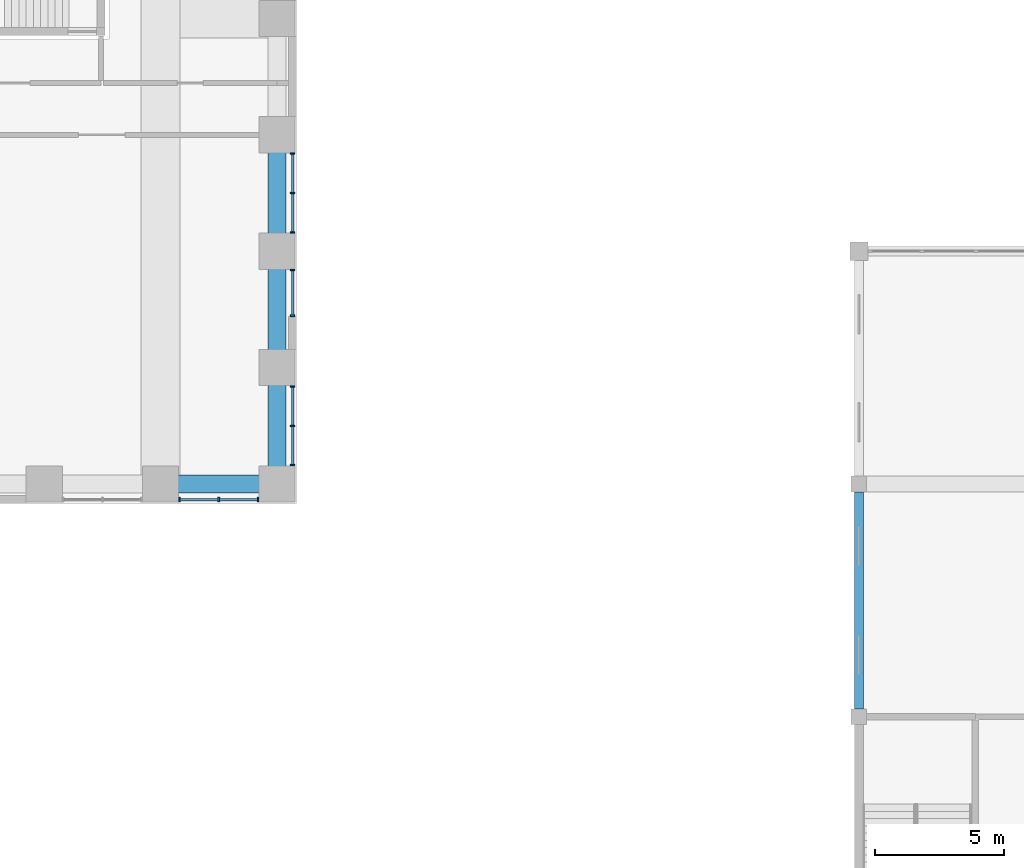
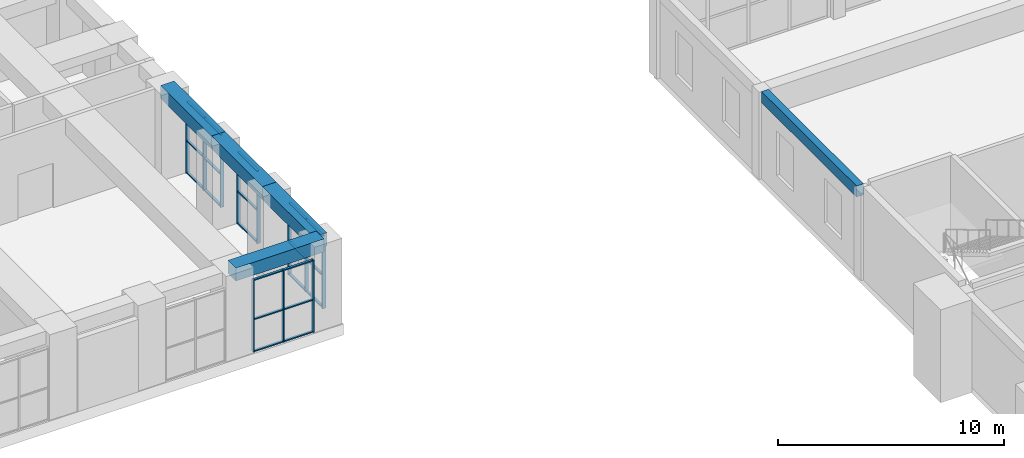
# One storey, part 8 of 30: 32 members, 5 beams, 4 elements without a shape of their own.
"""IFC4 building model written with IfcOpenShell, lengths in metres."""

from ifc_helpers import new_model, si_unit, direction, frame, origin, origin_2d, place, context, subcontext, project, spatial, rectangle, extrude, material, material_profile, profile_set, type_object, element, aggregate, save


model = new_model("IFC4")

# Units and contexts
model_context = context("Model", 3, precision=1e-05, world=origin(), true_north=direction((0.0, 1.0)))
body_context = subcontext(model_context, "Body", "Model", "MODEL_VIEW")
ifc_project = project(units=[si_unit("LENGTHUNIT", "METRE"), si_unit("AREAUNIT", "SQUARE_METRE"), si_unit("VOLUMEUNIT", "CUBIC_METRE"), si_unit("PLANEANGLEUNIT", "RADIAN"), si_unit("MASSUNIT", "GRAM", prefix="KILO")], contexts=[model_context])

# Site, building, storey
site_placement = place(None, origin())
site = spatial("IfcSite", under=ifc_project, at=site_placement, CompositionType="ELEMENT")
building_placement = place(site_placement, origin())
building = spatial("IfcBuilding", under=site, at=building_placement, Name="Firuza Court", CompositionType="ELEMENT")
storey_placement = place(building_placement, frame((0.0, 0.0, 9.0)))
storey = spatial("IfcBuildingStorey", under=building, at=storey_placement, Name="L01", CompositionType="ELEMENT", Elevation=9.0)

# Curtain wall, members
ifc_material_1 = material(Name="Aluminium curtain wall, triple clear glazing", Category="aluminium")
curtain_wall_type = type_object("IfcCurtainWallType", Name="Podium unitised curtain wall CW1", PredefinedType="NOTDEFINED", material=ifc_material_1)
curtain_wall_1_placement = place(storey_placement, origin())
curtain_wall_1 = element("IfcCurtainWall", 1, at=curtain_wall_1_placement, inside=storey, type_object=curtain_wall_type, Name="Podium unitised curtain wall CW1 L01", PredefinedType="NOTDEFINED")
ifc_material_2 = material(Name="Aluminium EN AW-6060 T66", Category="aluminium")
ifc_material_profile_1 = material_profile(ifc_material_2, rectangle(XDim=0.179931640625, YDim=0.06005859375, at=origin_2d()), Name="Mullion 180 x 60 CW1")
ifc_profile_set_1 = profile_set([ifc_material_profile_1], Name="Aluminium EN AW-6060 T66")
member_type_1 = type_object("IfcMemberType", Name="Mullion 180 x 60 CW1", PredefinedType="MULLION", material=ifc_profile_set_1)
member_1_placement = place(storey_placement, frame((63.72998046875, 35.39990234375, 0.0), z_axis=(0.0, 0.0, 1.0), x_axis=(0.0, 1.0, 0.0)))
member_1 = element("IfcMember", 2, at=member_1_placement, type_object=member_type_1, Name="CW1 mullion 1", PredefinedType="MULLION", context=body_context, shape_type="SweptSolid", body=[
    extrude(rectangle(XDim=0.179931640625, YDim=0.06005859375, at=origin_2d()), origin(), (0.0, 0.0, 1.0), 3.89990234375),
])
member_2_placement = place(storey_placement, frame((65.25, 35.39990234375, 0.0), z_axis=(0.0, 0.0, 1.0), x_axis=(0.0, 1.0, 0.0)))
member_2 = element("IfcMember", 3, at=member_2_placement, type_object=member_type_1, Name="CW1 mullion 2", PredefinedType="MULLION", context=body_context, shape_type="SweptSolid", body=[
    extrude(rectangle(XDim=0.179931640625, YDim=0.06005859375, at=origin_2d()), origin(), (0.0, 0.0, 1.0), 3.89990234375),
])
member_3_placement = place(storey_placement, frame((66.77001953125, 35.39990234375, 0.0), z_axis=(0.0, 0.0, 1.0), x_axis=(0.0, 1.0, 0.0)))
member_3 = element("IfcMember", 4, at=member_3_placement, type_object=member_type_1, Name="CW1 mullion 3", PredefinedType="MULLION", context=body_context, shape_type="SweptSolid", body=[
    extrude(rectangle(XDim=0.179931640625, YDim=0.06005859375, at=origin_2d()), origin(), (0.0, 0.0, 1.0), 3.89990234375),
])

curtain_wall_2_placement = place(storey_placement, origin())
curtain_wall_2 = element("IfcCurtainWall", 5, at=curtain_wall_2_placement, inside=storey, type_object=curtain_wall_type, Name="Podium unitised curtain wall CW1 L01", PredefinedType="NOTDEFINED")
member_4_placement = place(storey_placement, frame((68.10009765625, 36.72998046875, 0.0), z_axis=(0.0, 0.0, 1.0), x_axis=(-1.0, 0.0, 0.0)))
member_4 = element("IfcMember", 6, at=member_4_placement, type_object=member_type_1, Name="CW1 mullion 1", PredefinedType="MULLION", context=body_context, shape_type="SweptSolid", body=[
    extrude(rectangle(XDim=0.179931640625, YDim=0.06005859375, at=origin_2d()), origin(), (0.0, 0.0, 1.0), 3.89990234375),
])
member_5_placement = place(storey_placement, frame((68.10009765625, 38.25, 0.0), z_axis=(0.0, 0.0, 1.0), x_axis=(-1.0, 0.0, 0.0)))
member_5 = element("IfcMember", 7, at=member_5_placement, type_object=member_type_1, Name="CW1 mullion 2", PredefinedType="MULLION", context=body_context, shape_type="SweptSolid", body=[
    extrude(rectangle(XDim=0.179931640625, YDim=0.06005859375, at=origin_2d()), origin(), (0.0, 0.0, 1.0), 3.89990234375),
])
member_6_placement = place(storey_placement, frame((68.10009765625, 39.77001953125, 0.0), z_axis=(0.0, 0.0, 1.0), x_axis=(-1.0, 0.0, 0.0)))
member_6 = element("IfcMember", 8, at=member_6_placement, type_object=member_type_1, Name="CW1 mullion 3", PredefinedType="MULLION", context=body_context, shape_type="SweptSolid", body=[
    extrude(rectangle(XDim=0.179931640625, YDim=0.06005859375, at=origin_2d()), origin(), (0.0, 0.0, 1.0), 3.89990234375),
])

curtain_wall_3_placement = place(storey_placement, origin())
curtain_wall_3 = element("IfcCurtainWall", 9, at=curtain_wall_3_placement, inside=storey, type_object=curtain_wall_type, Name="Podium unitised curtain wall CW1 L01", PredefinedType="NOTDEFINED")
member_7_placement = place(storey_placement, frame((68.10009765625, 42.505126953125, 0.0), z_axis=(0.0, 0.0, 1.0), x_axis=(-1.0, 0.0, 0.0)))
member_7 = element("IfcMember", 10, at=member_7_placement, type_object=member_type_1, Name="CW1 mullion 1", PredefinedType="MULLION", context=body_context, shape_type="SweptSolid", body=[
    extrude(rectangle(XDim=0.179931640625, YDim=0.06005859375, at=origin_2d()), origin(), (0.0, 0.0, 1.0), 3.89990234375),
])
member_8_placement = place(storey_placement, frame((68.10009765625, 44.27001953125, 0.0), z_axis=(0.0, 0.0, 1.0), x_axis=(-1.0, 0.0, 0.0)))
member_8 = element("IfcMember", 11, at=member_8_placement, type_object=member_type_1, Name="CW1 mullion 2", PredefinedType="MULLION", context=body_context, shape_type="SweptSolid", body=[
    extrude(rectangle(XDim=0.179931640625, YDim=0.06005859375, at=origin_2d()), origin(), (0.0, 0.0, 1.0), 3.89990234375),
])

curtain_wall_4_placement = place(storey_placement, origin())
curtain_wall_4 = element("IfcCurtainWall", 12, at=curtain_wall_4_placement, inside=storey, type_object=curtain_wall_type, Name="Podium unitised curtain wall CW1 L01", PredefinedType="NOTDEFINED")
member_9_placement = place(storey_placement, frame((68.10009765625, 45.72998046875, 0.0), z_axis=(0.0, 0.0, 1.0), x_axis=(-1.0, 0.0, 0.0)))
member_9 = element("IfcMember", 13, at=member_9_placement, type_object=member_type_1, Name="CW1 mullion 1", PredefinedType="MULLION", context=body_context, shape_type="SweptSolid", body=[
    extrude(rectangle(XDim=0.179931640625, YDim=0.06005859375, at=origin_2d()), origin(), (0.0, 0.0, 1.0), 3.89990234375),
])
member_10_placement = place(storey_placement, frame((68.10009765625, 47.25, 0.0), z_axis=(0.0, 0.0, 1.0), x_axis=(-1.0, 0.0, 0.0)))
member_10 = element("IfcMember", 14, at=member_10_placement, type_object=member_type_1, Name="CW1 mullion 2", PredefinedType="MULLION", context=body_context, shape_type="SweptSolid", body=[
    extrude(rectangle(XDim=0.179931640625, YDim=0.06005859375, at=origin_2d()), origin(), (0.0, 0.0, 1.0), 3.89990234375),
])
member_11_placement = place(storey_placement, frame((68.10009765625, 48.77001953125, 0.0), z_axis=(0.0, 0.0, 1.0), x_axis=(-1.0, 0.0, 0.0)))
member_11 = element("IfcMember", 15, at=member_11_placement, type_object=member_type_1, Name="CW1 mullion 3", PredefinedType="MULLION", context=body_context, shape_type="SweptSolid", body=[
    extrude(rectangle(XDim=0.179931640625, YDim=0.06005859375, at=origin_2d()), origin(), (0.0, 0.0, 1.0), 3.89990234375),
])

# Beams
ifc_material_3 = material(Name="Concrete C40/50", Category="concrete")
ifc_material_profile_2 = material_profile(ifc_material_3, rectangle(XDim=0.35009765625, YDim=0.60009765625, at=origin_2d()), Name="RC 350X600")
ifc_profile_set_2 = profile_set([ifc_material_profile_2], Name="Concrete C40/50")
beam_type_1 = type_object("IfcBeamType", Name="RC RING BEAM 350X600", PredefinedType="BEAM", material=ifc_profile_set_2)
beam_placement = place(storey_placement, frame((90.0, 27.300048828125, 4.39990234375), z_axis=(0.0, 1.0, 0.0), x_axis=(-1.0, 0.0, 0.0)))
element("IfcBeam", 16, at=beam_placement, inside=storey, type_object=beam_type_1, Name="Edge beam W2.1 L01", PredefinedType="BEAM", context=body_context, shape_type="SweptSolid", body=[
    extrude(rectangle(XDim=0.35009765625, YDim=0.60009765625, at=origin_2d()), origin(), (0.0, 0.0, 1.0), 8.39990234375),
])
ifc_material_4 = material(Name="Concrete C40/50", Category="concrete")
ifc_material_profile_3 = material_profile(ifc_material_4, rectangle(XDim=0.699951171875, YDim=0.699951171875, at=origin_2d()), Name="RC 700x700")
ifc_profile_set_3 = profile_set([ifc_material_profile_3], Name="Concrete C40/50")
beam_type_2 = type_object("IfcBeamType", Name="Spandrel beam RC 700x700 C40/50", PredefinedType="BEAM", material=ifc_profile_set_3)
for number, where, z_axis, x_axis, name in (
    (17, (63.0, 36.0, 4.25), (1.0, 0.0, 0.0), (0.0, 1.0, 0.0), "Spandrel beam SP8 level L02"),
    (18, (67.5, 36.0, 4.25), (0.0, 1.0, 0.0), (-1.0, 0.0, 0.0), "Spandrel beam SP8 level L02"),
    (19, (67.5, 40.5, 4.25), (0.0, 1.0, 0.0), (-1.0, 0.0, 0.0), "Spandrel beam SP8 level L02"),
    (20, (67.5, 45.0, 4.25), (0.0, 1.0, 0.0), (-1.0, 0.0, 0.0), "Spandrel beam SP8 level L02"),
):
    element("IfcBeam", number, at=place(storey_placement, frame(where, z_axis=z_axis, x_axis=x_axis)), inside=storey, type_object=beam_type_2, Name=name, PredefinedType="BEAM", context=body_context, shape_type="SweptSolid", body=[
        extrude(rectangle(XDim=0.699951171875, YDim=0.699951171875, at=origin_2d()), origin(), (0.0, 0.0, 1.0), 4.5),
    ])

# Member
ifc_material_5 = material(Name="Aluminium EN AW-6060 T66", Category="aluminium")
ifc_material_profile_4 = material_profile(ifc_material_5, rectangle(XDim=0.1201171875, YDim=0.06005859375, at=origin_2d()), Name="Transom 120 x 60 CW1")
ifc_profile_set_4 = profile_set([ifc_material_profile_4], Name="Aluminium EN AW-6060 T66")
member_type_2 = type_object("IfcMemberType", Name="Transom 120 x 60 CW1", PredefinedType="USERDEFINED", material=ifc_profile_set_4)
member_12_placement = place(storey_placement, frame((63.760009765625, 35.39990234375, 0.030029296875), z_axis=(1.0, 0.0, 0.0), x_axis=(0.0, 1.0, 0.0)))
member_12 = element("IfcMember", 21, at=member_12_placement, type_object=member_type_2, Name="CW1 transom 1.1", ObjectType="TRANSOM", PredefinedType="USERDEFINED", context=body_context, shape_type="SweptSolid", body=[
    extrude(rectangle(XDim=0.1201171875, YDim=0.06005859375, at=origin_2d()), origin(), (0.0, 0.0, 1.0), 1.4599609375),
])

member_13_placement = place(storey_placement, frame((63.760009765625, 35.39990234375, 1.7548828125), z_axis=(1.0, 0.0, 0.0), x_axis=(0.0, 1.0, 0.0)))
member_13 = element("IfcMember", 22, at=member_13_placement, type_object=member_type_2, Name="CW1 transom 1.2", ObjectType="TRANSOM", PredefinedType="USERDEFINED", context=body_context, shape_type="SweptSolid", body=[
    extrude(rectangle(XDim=0.1201171875, YDim=0.06005859375, at=origin_2d()), origin(), (0.0, 0.0, 1.0), 1.4599609375),
])

member_14_placement = place(storey_placement, frame((63.760009765625, 35.39990234375, 3.8701171875), z_axis=(1.0, 0.0, 0.0), x_axis=(0.0, 1.0, 0.0)))
member_14 = element("IfcMember", 23, at=member_14_placement, type_object=member_type_2, Name="CW1 transom 1.3", ObjectType="TRANSOM", PredefinedType="USERDEFINED", context=body_context, shape_type="SweptSolid", body=[
    extrude(rectangle(XDim=0.1201171875, YDim=0.06005859375, at=origin_2d()), origin(), (0.0, 0.0, 1.0), 1.4599609375),
])

member_15_placement = place(storey_placement, frame((65.280029296875, 35.39990234375, 0.030029296875), z_axis=(1.0, 0.0, 0.0), x_axis=(0.0, 1.0, 0.0)))
member_15 = element("IfcMember", 24, at=member_15_placement, type_object=member_type_2, Name="CW1 transom 2.1", ObjectType="TRANSOM", PredefinedType="USERDEFINED", context=body_context, shape_type="SweptSolid", body=[
    extrude(rectangle(XDim=0.1201171875, YDim=0.06005859375, at=origin_2d()), origin(), (0.0, 0.0, 1.0), 1.4599609375),
])

member_16_placement = place(storey_placement, frame((65.280029296875, 35.39990234375, 1.7548828125), z_axis=(1.0, 0.0, 0.0), x_axis=(0.0, 1.0, 0.0)))
member_16 = element("IfcMember", 25, at=member_16_placement, type_object=member_type_2, Name="CW1 transom 2.2", ObjectType="TRANSOM", PredefinedType="USERDEFINED", context=body_context, shape_type="SweptSolid", body=[
    extrude(rectangle(XDim=0.1201171875, YDim=0.06005859375, at=origin_2d()), origin(), (0.0, 0.0, 1.0), 1.4599609375),
])

member_17_placement = place(storey_placement, frame((65.280029296875, 35.39990234375, 3.8701171875), z_axis=(1.0, 0.0, 0.0), x_axis=(0.0, 1.0, 0.0)))
member_17 = element("IfcMember", 26, at=member_17_placement, type_object=member_type_2, Name="CW1 transom 2.3", ObjectType="TRANSOM", PredefinedType="USERDEFINED", context=body_context, shape_type="SweptSolid", body=[
    extrude(rectangle(XDim=0.1201171875, YDim=0.06005859375, at=origin_2d()), origin(), (0.0, 0.0, 1.0), 1.4599609375),
])

aggregate(curtain_wall_1, [member_1, member_2, member_3, member_12, member_13, member_14, member_15, member_16, member_17])

member_18_placement = place(storey_placement, frame((68.10009765625, 36.760009765625, 0.030029296875), z_axis=(0.0, 1.0, 0.0), x_axis=(-1.0, 0.0, 0.0)))
member_18 = element("IfcMember", 27, at=member_18_placement, type_object=member_type_2, Name="CW1 transom 1.1", ObjectType="TRANSOM", PredefinedType="USERDEFINED", context=body_context, shape_type="SweptSolid", body=[
    extrude(rectangle(XDim=0.1201171875, YDim=0.06005859375, at=origin_2d()), origin(), (0.0, 0.0, 1.0), 1.4599609375),
])

member_19_placement = place(storey_placement, frame((68.10009765625, 36.760009765625, 1.7548828125), z_axis=(0.0, 1.0, 0.0), x_axis=(-1.0, 0.0, 0.0)))
member_19 = element("IfcMember", 28, at=member_19_placement, type_object=member_type_2, Name="CW1 transom 1.2", ObjectType="TRANSOM", PredefinedType="USERDEFINED", context=body_context, shape_type="SweptSolid", body=[
    extrude(rectangle(XDim=0.1201171875, YDim=0.06005859375, at=origin_2d()), origin(), (0.0, 0.0, 1.0), 1.4599609375),
])

member_20_placement = place(storey_placement, frame((68.10009765625, 36.760009765625, 3.8701171875), z_axis=(0.0, 1.0, 0.0), x_axis=(-1.0, 0.0, 0.0)))
member_20 = element("IfcMember", 29, at=member_20_placement, type_object=member_type_2, Name="CW1 transom 1.3", ObjectType="TRANSOM", PredefinedType="USERDEFINED", context=body_context, shape_type="SweptSolid", body=[
    extrude(rectangle(XDim=0.1201171875, YDim=0.06005859375, at=origin_2d()), origin(), (0.0, 0.0, 1.0), 1.4599609375),
])

member_21_placement = place(storey_placement, frame((68.10009765625, 38.280029296875, 0.030029296875), z_axis=(0.0, 1.0, 0.0), x_axis=(-1.0, 0.0, 0.0)))
member_21 = element("IfcMember", 30, at=member_21_placement, type_object=member_type_2, Name="CW1 transom 2.1", ObjectType="TRANSOM", PredefinedType="USERDEFINED", context=body_context, shape_type="SweptSolid", body=[
    extrude(rectangle(XDim=0.1201171875, YDim=0.06005859375, at=origin_2d()), origin(), (0.0, 0.0, 1.0), 1.4599609375),
])

member_22_placement = place(storey_placement, frame((68.10009765625, 38.280029296875, 1.7548828125), z_axis=(0.0, 1.0, 0.0), x_axis=(-1.0, 0.0, 0.0)))
member_22 = element("IfcMember", 31, at=member_22_placement, type_object=member_type_2, Name="CW1 transom 2.2", ObjectType="TRANSOM", PredefinedType="USERDEFINED", context=body_context, shape_type="SweptSolid", body=[
    extrude(rectangle(XDim=0.1201171875, YDim=0.06005859375, at=origin_2d()), origin(), (0.0, 0.0, 1.0), 1.4599609375),
])

member_23_placement = place(storey_placement, frame((68.10009765625, 38.280029296875, 3.8701171875), z_axis=(0.0, 1.0, 0.0), x_axis=(-1.0, 0.0, 0.0)))
member_23 = element("IfcMember", 32, at=member_23_placement, type_object=member_type_2, Name="CW1 transom 2.3", ObjectType="TRANSOM", PredefinedType="USERDEFINED", context=body_context, shape_type="SweptSolid", body=[
    extrude(rectangle(XDim=0.1201171875, YDim=0.06005859375, at=origin_2d()), origin(), (0.0, 0.0, 1.0), 1.4599609375),
])

aggregate(curtain_wall_2, [member_4, member_5, member_6, member_18, member_19, member_20, member_21, member_22, member_23])

member_24_placement = place(storey_placement, frame((68.10009765625, 42.53515625, 0.030029296875), z_axis=(0.0, 1.0, 0.0), x_axis=(-1.0, 0.0, 0.0)))
member_24 = element("IfcMember", 33, at=member_24_placement, type_object=member_type_2, Name="CW1 transom 1.1", ObjectType="TRANSOM", PredefinedType="USERDEFINED", context=body_context, shape_type="SweptSolid", body=[
    extrude(rectangle(XDim=0.1201171875, YDim=0.06005859375, at=origin_2d()), origin(), (0.0, 0.0, 1.0), 1.704833984375),
])

member_25_placement = place(storey_placement, frame((68.10009765625, 42.53515625, 1.7548828125), z_axis=(0.0, 1.0, 0.0), x_axis=(-1.0, 0.0, 0.0)))
member_25 = element("IfcMember", 34, at=member_25_placement, type_object=member_type_2, Name="CW1 transom 1.2", ObjectType="TRANSOM", PredefinedType="USERDEFINED", context=body_context, shape_type="SweptSolid", body=[
    extrude(rectangle(XDim=0.1201171875, YDim=0.06005859375, at=origin_2d()), origin(), (0.0, 0.0, 1.0), 1.704833984375),
])

member_26_placement = place(storey_placement, frame((68.10009765625, 42.53515625, 3.8701171875), z_axis=(0.0, 1.0, 0.0), x_axis=(-1.0, 0.0, 0.0)))
member_26 = element("IfcMember", 35, at=member_26_placement, type_object=member_type_2, Name="CW1 transom 1.3", ObjectType="TRANSOM", PredefinedType="USERDEFINED", context=body_context, shape_type="SweptSolid", body=[
    extrude(rectangle(XDim=0.1201171875, YDim=0.06005859375, at=origin_2d()), origin(), (0.0, 0.0, 1.0), 1.704833984375),
])

aggregate(curtain_wall_3, [member_7, member_8, member_24, member_25, member_26])

member_27_placement = place(storey_placement, frame((68.10009765625, 45.760009765625, 0.030029296875), z_axis=(0.0, 1.0, 0.0), x_axis=(-1.0, 0.0, 0.0)))
member_27 = element("IfcMember", 36, at=member_27_placement, type_object=member_type_2, Name="CW1 transom 1.1", ObjectType="TRANSOM", PredefinedType="USERDEFINED", context=body_context, shape_type="SweptSolid", body=[
    extrude(rectangle(XDim=0.1201171875, YDim=0.06005859375, at=origin_2d()), origin(), (0.0, 0.0, 1.0), 1.4599609375),
])

member_28_placement = place(storey_placement, frame((68.10009765625, 45.760009765625, 1.7548828125), z_axis=(0.0, 1.0, 0.0), x_axis=(-1.0, 0.0, 0.0)))
member_28 = element("IfcMember", 37, at=member_28_placement, type_object=member_type_2, Name="CW1 transom 1.2", ObjectType="TRANSOM", PredefinedType="USERDEFINED", context=body_context, shape_type="SweptSolid", body=[
    extrude(rectangle(XDim=0.1201171875, YDim=0.06005859375, at=origin_2d()), origin(), (0.0, 0.0, 1.0), 1.4599609375),
])

member_29_placement = place(storey_placement, frame((68.10009765625, 45.760009765625, 3.8701171875), z_axis=(0.0, 1.0, 0.0), x_axis=(-1.0, 0.0, 0.0)))
member_29 = element("IfcMember", 38, at=member_29_placement, type_object=member_type_2, Name="CW1 transom 1.3", ObjectType="TRANSOM", PredefinedType="USERDEFINED", context=body_context, shape_type="SweptSolid", body=[
    extrude(rectangle(XDim=0.1201171875, YDim=0.06005859375, at=origin_2d()), origin(), (0.0, 0.0, 1.0), 1.4599609375),
])

member_30_placement = place(storey_placement, frame((68.10009765625, 47.280029296875, 0.030029296875), z_axis=(0.0, 1.0, 0.0), x_axis=(-1.0, 0.0, 0.0)))
member_30 = element("IfcMember", 39, at=member_30_placement, type_object=member_type_2, Name="CW1 transom 2.1", ObjectType="TRANSOM", PredefinedType="USERDEFINED", context=body_context, shape_type="SweptSolid", body=[
    extrude(rectangle(XDim=0.1201171875, YDim=0.06005859375, at=origin_2d()), origin(), (0.0, 0.0, 1.0), 1.4599609375),
])

member_31_placement = place(storey_placement, frame((68.10009765625, 47.280029296875, 1.7548828125), z_axis=(0.0, 1.0, 0.0), x_axis=(-1.0, 0.0, 0.0)))
member_31 = element("IfcMember", 40, at=member_31_placement, type_object=member_type_2, Name="CW1 transom 2.2", ObjectType="TRANSOM", PredefinedType="USERDEFINED", context=body_context, shape_type="SweptSolid", body=[
    extrude(rectangle(XDim=0.1201171875, YDim=0.06005859375, at=origin_2d()), origin(), (0.0, 0.0, 1.0), 1.4599609375),
])

member_32_placement = place(storey_placement, frame((68.10009765625, 47.280029296875, 3.8701171875), z_axis=(0.0, 1.0, 0.0), x_axis=(-1.0, 0.0, 0.0)))
member_32 = element("IfcMember", 41, at=member_32_placement, type_object=member_type_2, Name="CW1 transom 2.3", ObjectType="TRANSOM", PredefinedType="USERDEFINED", context=body_context, shape_type="SweptSolid", body=[
    extrude(rectangle(XDim=0.1201171875, YDim=0.06005859375, at=origin_2d()), origin(), (0.0, 0.0, 1.0), 1.4599609375),
])

aggregate(curtain_wall_4, [member_9, member_10, member_11, member_27, member_28, member_29, member_30, member_31, member_32])

save(model, "model.ifc")
